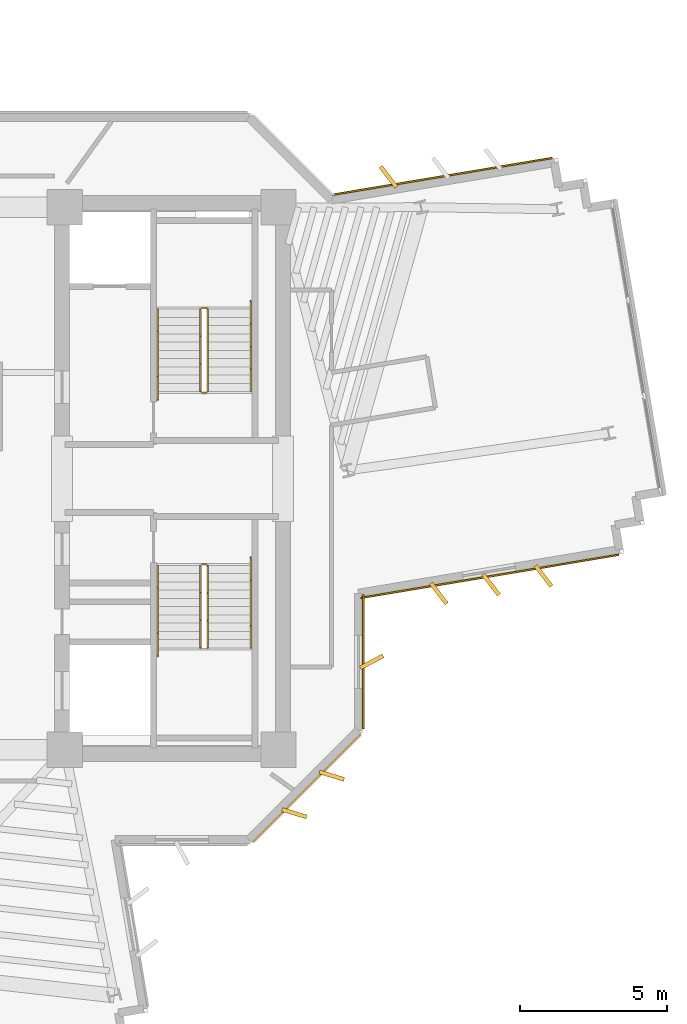
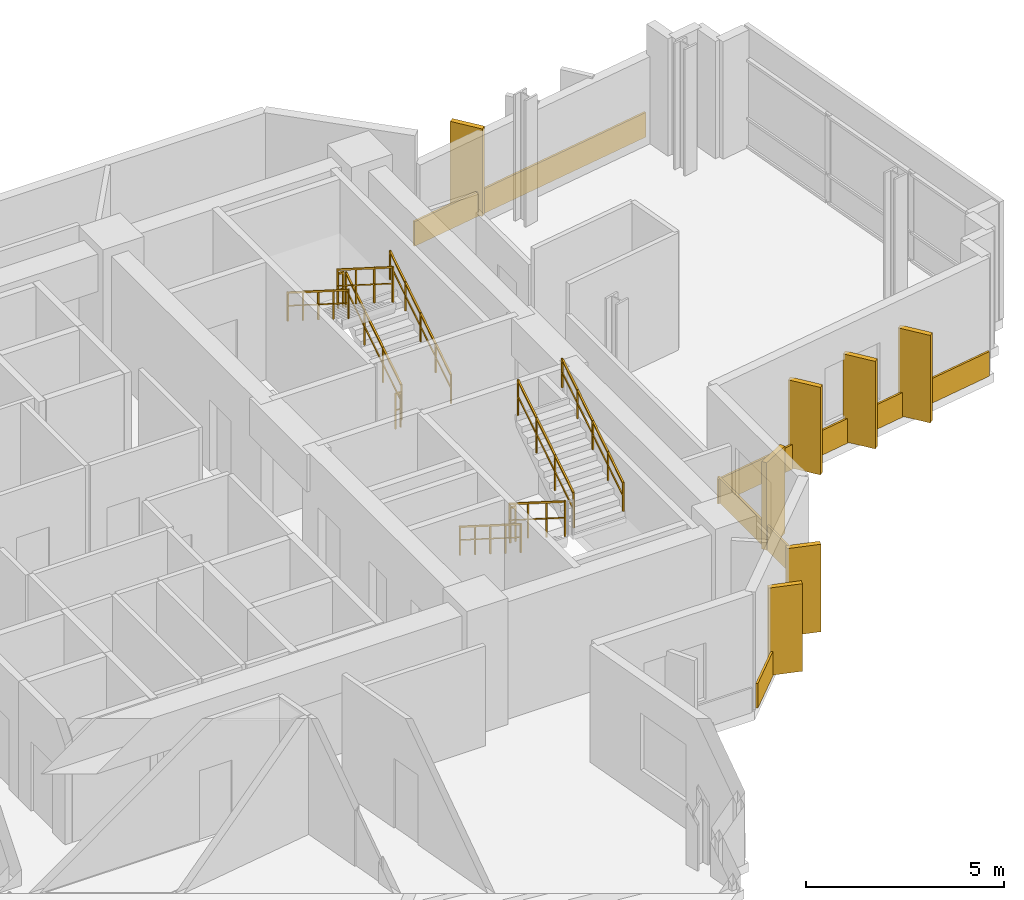
# One storey, part 14 of 15: 11 coverings, 11 railings.
"""IFC4 building model written with IfcOpenShell, lengths in metres."""

import ifcopenshell
import ifcopenshell.guid

model = None  # the IFC model being written
_history = None  # IfcOwnerHistory: only IFC2X3 demands one
_inside = {}  # id of a spatial element -> (the spatial element, [elements in it])
_under = {}  # id of a project, library or spatial element -> (it, [spatial elements below it])
_declared = {}  # id of a project -> (the project, [libraries it declares])
_typed = {}  # id of a type object -> (the type object, [elements of that type])
_made_of = {}  # id of a material, layer set ... -> (it, [elements and type objects made of it])


def new_model(schema):
    """Start an empty IFC model of exactly this schema.

    Asked for "IFC4X3", IfcOpenShell would pick the latest addendum, in which some entities
    have other attributes; the version numbers below select the first issue.
    IFC2X3 requires an IfcOwnerHistory on every rooted entity: one is made here for all.
    """
    global model, _history
    if schema == "IFC4X3":
        model = ifcopenshell.file(schema_version=(4, 3, 0, 0))
    else:
        model = ifcopenshell.file(schema=schema)
    _inside.clear()
    _under.clear()
    _declared.clear()
    _typed.clear()
    _made_of.clear()
    _history = None
    if model.schema == "IFC2X3":
        org = make("IfcOrganization", Name="unknown")
        user = make(
            "IfcPersonAndOrganization",
            ThePerson=make("IfcPerson", FamilyName="unknown"),
            TheOrganization=org,
        )
        app = make(
            "IfcApplication",
            ApplicationDeveloper=org,
            Version="unknown",
            ApplicationFullName="unknown",
            ApplicationIdentifier="unknown",
        )
        _history = make(
            "IfcOwnerHistory",
            OwningUser=user,
            OwningApplication=app,
            ChangeAction="ADDED",
            CreationDate=0,
        )
    return model


def make(cls, **values):
    """One entity of the class cls with the attributes given. An attribute that is None is left unset."""
    return model.create_entity(
        cls, **{name: value for name, value in values.items() if value is not None}
    )


def rooted(cls, **values):
    """An entity with a GlobalId (a new one), such as an element, a storey or a relation."""
    return make(cls, GlobalId=ifcopenshell.guid.new(), OwnerHistory=_history, **values)


def si_unit(unit_type, name, prefix=None):
    """IfcSIUnit, for example si_unit("LENGTHUNIT", "METRE", prefix="MILLI")."""
    return make("IfcSIUnit", UnitType=unit_type, Prefix=prefix, Name=name)


def assignment(units):
    """IfcUnitAssignment: the units of a project."""
    return None if units is None else make("IfcUnitAssignment", Units=units)


def point(xyz):
    """IfcCartesianPoint."""
    return None if xyz is None else make("IfcCartesianPoint", Coordinates=xyz)


def direction(xyz):
    """IfcDirection."""
    return None if xyz is None else make("IfcDirection", DirectionRatios=xyz)


def frame(location, z_axis=None, x_axis=None):
    """IfcAxis2Placement3D, a coordinate frame: its origin and axes. An axis left out is left unset."""
    return make(
        "IfcAxis2Placement3D",
        Location=point(location),
        Axis=direction(z_axis),
        RefDirection=direction(x_axis),
    )


def frame_2d(location, x_axis=None):
    """IfcAxis2Placement2D, a coordinate frame in the plane: its origin and x axis."""
    return make(
        "IfcAxis2Placement2D", Location=point(location), RefDirection=direction(x_axis)
    )


def origin():
    """The frame at (0, 0, 0) with its axes left unset."""
    return frame((0.0, 0.0, 0.0))


def origin_2d():
    """The frame at (0, 0) in the plane with its x axis left unset."""
    return frame_2d((0.0, 0.0))


def place(relative_to, where):
    """IfcLocalPlacement: puts the frame where relative to a parent placement (None: the world)."""
    return make(
        "IfcLocalPlacement", PlacementRelTo=relative_to, RelativePlacement=where
    )


def context(
    kind, dimensions, precision=None, world=None, true_north=None, identifier=None
):
    """IfcGeometricRepresentationContext, for example the 3D "Model" context."""
    return make(
        "IfcGeometricRepresentationContext",
        ContextIdentifier=identifier,
        ContextType=kind,
        CoordinateSpaceDimension=dimensions,
        Precision=precision,
        WorldCoordinateSystem=world,
        TrueNorth=true_north,
    )


def subcontext(parent, identifier, kind, view, scale=None):
    """IfcGeometricRepresentationSubContext, for example "Body" below "Model"."""
    return make(
        "IfcGeometricRepresentationSubContext",
        ContextIdentifier=identifier,
        ContextType=kind,
        ParentContext=parent,
        TargetScale=scale,
        TargetView=view,
    )


def project(units=None, contexts=None):
    """IfcProject with its units and contexts."""
    return rooted(
        "IfcProject",
        Name="project",
        RepresentationContexts=contexts,
        UnitsInContext=assignment(units),
    )


def spatial(cls, under=None, at=None, **own):
    """A site, building, storey or space (cls), placed at a placement, below another one or the project."""
    s = rooted(cls, ObjectPlacement=at, **own)
    if under is not None:
        _under.setdefault(under.id(), (under, []))[1].append(s)
    return s


def profile(cls, at=None, kind="AREA", **sizes):
    """A parametric profile (cls). Its sizes go by their IFC names, for example OverallWidth=200.0."""
    return make(cls, ProfileType=kind, Position=at, **sizes)


def rectangle(**sizes):
    """IfcRectangleProfileDef."""
    return profile("IfcRectangleProfileDef", **sizes)


def extrude(swept, where, along, depth):
    """IfcExtrudedAreaSolid: the profile swept, set in the frame where, extruded along a direction by depth."""
    return make(
        "IfcExtrudedAreaSolid",
        SweptArea=swept,
        Position=where,
        ExtrudedDirection=direction(along),
        Depth=depth,
    )


def shape(context_of_items, identifier, shape_type, items):
    """IfcShapeRepresentation: the items that make up one representation, for example the "Body"."""
    return make(
        "IfcShapeRepresentation",
        ContextOfItems=context_of_items,
        RepresentationIdentifier=identifier,
        RepresentationType=shape_type,
        Items=items,
    )


def source(mapping_origin, context_of_items, identifier, shape_type, items):
    """IfcRepresentationMap: a shape defined once, which mapped items show again and again."""
    return make(
        "IfcRepresentationMap",
        MappingOrigin=mapping_origin,
        MappedRepresentation=shape(context_of_items, identifier, shape_type, items),
    )


def transform(
    local_origin,
    x_axis=None,
    y_axis=None,
    z_axis=None,
    scale=None,
    scale2=None,
    scale3=None,
    uniform=True,
):
    """IfcCartesianTransformationOperator3D, or its non-uniform kind. x_axis, y_axis, z_axis: its Axis1, 2, 3."""
    if uniform:
        return make(
            "IfcCartesianTransformationOperator3D",
            Axis1=direction(x_axis),
            Axis2=direction(y_axis),
            LocalOrigin=point(local_origin),
            Scale=scale,
            Axis3=direction(z_axis),
        )
    return make(
        "IfcCartesianTransformationOperator3DnonUniform",
        Axis1=direction(x_axis),
        Axis2=direction(y_axis),
        LocalOrigin=point(local_origin),
        Scale=scale,
        Axis3=direction(z_axis),
        Scale2=scale2,
        Scale3=scale3,
    )


def mapped(mapping_source, mapping_target):
    """IfcMappedItem: shows the shape of a source again, moved by a transform."""
    return make(
        "IfcMappedItem", MappingSource=mapping_source, MappingTarget=mapping_target
    )


def material(Name=None, Category=None):
    """IfcMaterial."""
    return make("IfcMaterial", Name=Name, Category=Category)


def layer(
    of_material, thickness, ventilated=None, Name=None, Category=None, Priority=None
):
    """IfcMaterialLayer: one layer of a wall or slab, of a material (None: an air gap)."""
    return make(
        "IfcMaterialLayer",
        Material=of_material,
        LayerThickness=thickness,
        IsVentilated=ventilated,
        Name=Name,
        Category=Category,
        Priority=Priority,
    )


def layer_set(layers, Name=None):
    """IfcMaterialLayerSet."""
    return make("IfcMaterialLayerSet", MaterialLayers=layers, LayerSetName=Name)


def made_of(thing, what):
    """Note that an element or type object is made of a material, layer set ...; save() writes the relation."""
    if what is not None:
        _made_of.setdefault(what.id(), (what, []))[1].append(thing)
    return thing


def type_object(cls, material=None, **own):
    """A type object (cls), such as IfcWallType, which elements share."""
    return made_of(rooted(cls, **own), material)


def element(
    cls,
    number,
    at=None,
    inside=None,
    cuts=None,
    type_object=None,
    material=None,
    context=None,
    identifier="Body",
    shape_type=None,
    held_by="IfcProductDefinitionShape",
    body=None,
    shapes=None,
    **own,
):
    """One element of the class cls, such as IfcWall. Its Tag is "e" and its number.

    at: its placement. inside: the storey or other place that contains it. cuts: it is an
    opening in that element (IfcRelVoidsElement). A single representation is given by context,
    identifier, shape_type and body (its items); several are given by shapes. held_by: the class
    of the entity that holds the representations. save() writes the other relations.
    """
    e = rooted(cls, Tag="e%d" % number, ObjectPlacement=at, **own)
    if body is not None:
        shapes = [shape(context, identifier, shape_type, body)]
    if shapes is not None:
        e.Representation = make(held_by, Representations=shapes)
    if inside is not None:
        _inside.setdefault(inside.id(), (inside, []))[1].append(e)
    if cuts is not None:
        rooted(
            "IfcRelVoidsElement", RelatingBuildingElement=cuts, RelatedOpeningElement=e
        )
    if type_object is not None:
        _typed.setdefault(type_object.id(), (type_object, []))[1].append(e)
    return made_of(e, material)


def aggregate(whole, parts):
    """IfcRelAggregates: a whole, such as a stair, and the parts it consists of."""
    return rooted("IfcRelAggregates", RelatingObject=whole, RelatedObjects=parts)


def save(model, path):
    """Write the relations noted so far, then the file.

    IfcRelAggregates (storeys below a building ...), IfcRelContainedInSpatialStructure (elements
    in a storey), IfcRelDefinesByType, IfcRelAssociatesMaterial and IfcRelDeclares: one each for
    every whole, place, type object, material and project.
    """
    for whole, parts in _under.values():
        aggregate(whole, parts)
    for where, things in _inside.values():
        rooted(
            "IfcRelContainedInSpatialStructure",
            RelatedElements=things,
            RelatingStructure=where,
        )
    for kind, things in _typed.values():
        rooted("IfcRelDefinesByType", RelatedObjects=things, RelatingType=kind)
    for what, things in _made_of.values():
        rooted("IfcRelAssociatesMaterial", RelatedObjects=things, RelatingMaterial=what)
    for by, libraries in _declared.values():
        rooted("IfcRelDeclares", RelatingContext=by, RelatedDefinitions=libraries)
    model.write(path)


model = new_model("IFC4")

# Units and contexts
model_context = context("Model", 3, precision=1e-05, world=origin(), true_north=direction((0.0, 1.0)))
body_context = subcontext(model_context, "Body", "Model", "MODEL_VIEW")
ifc_project = project(units=[si_unit("LENGTHUNIT", "METRE"), si_unit("AREAUNIT", "SQUARE_METRE"), si_unit("VOLUMEUNIT", "CUBIC_METRE"), si_unit("PLANEANGLEUNIT", "RADIAN"), si_unit("MASSUNIT", "GRAM", prefix="KILO")], contexts=[model_context])

# Site, building, storey
site_placement = place(None, origin())
site = spatial("IfcSite", under=ifc_project, at=site_placement, CompositionType="ELEMENT")
building_placement = place(site_placement, origin())
building = spatial("IfcBuilding", under=site, at=building_placement, Name="Zahravan Cultural Tower", CompositionType="ELEMENT")
storey_placement = place(building_placement, frame((0.0, 0.0, 139.5)))
storey = spatial("IfcBuildingStorey", under=building, at=storey_placement, Name="L31", CompositionType="ELEMENT", Elevation=139.5)

# Railings
ifc_material_1 = material(Name="Steel ASTM A572 Grade 50", Category="steel")
railing_type_1 = type_object("IfcRailingType", Name="RL-STAIR-GRD1150", PredefinedType="BALUSTRADE", material=ifc_material_1)
railing_1_placement = place(storey_placement, frame((47.949951171875, 29.949951171875, 0.17724609375)))
element("IfcRailing", 1, at=railing_1_placement, inside=storey, type_object=railing_type_1, Name="L31 ST-E1 stair guard 1", PredefinedType="BALUSTRADE", context=body_context, shape_type="SweptSolid", body=[
    extrude(rectangle(XDim=0.05, YDim=0.05, at=origin_2d()), frame((0.0, 0.0, 1.0751953125), z_axis=(0.0, 0.844908973607, 0.534910110503), x_axis=(-1.0, 0.0, 0.0)), (0.0, 0.0, 1.0), 3.31396484375),
    extrude(rectangle(XDim=0.032, YDim=0.032, at=origin_2d()), frame((0.0, 0.0, 0.572021484375), z_axis=(0.0, 0.844908973607, 0.534910110503), x_axis=(-1.0, 0.0, 0.0)), (0.0, 0.0, 1.0), 3.31396484375),
    extrude(rectangle(XDim=0.04, YDim=0.04, at=origin_2d()), origin(), (0.0, 0.0, 1.0), 1.10009765625),
    extrude(rectangle(XDim=0.04, YDim=0.04, at=origin_2d()), frame((0.0, 0.933349609375, 0.5908203125)), (0.0, 0.0, 1.0), 1.10009765625),
    extrude(rectangle(XDim=0.04, YDim=0.04, at=origin_2d()), frame((0.0, 1.86669921875, 1.181884765625)), (0.0, 0.0, 1.0), 1.10009765625),
    extrude(rectangle(XDim=0.04, YDim=0.04, at=origin_2d()), frame((0.0, 2.800048828125, 1.772705078125)), (0.0, 0.0, 1.0), 1.10009765625),
])
railing_2_placement = place(storey_placement, frame((47.89990234375, 32.800048828125, 1.949951171875)))
element("IfcRailing", 2, at=railing_2_placement, inside=storey, type_object=railing_type_1, Name="L31 ST-E1 stair guard 2", PredefinedType="BALUSTRADE", context=body_context, shape_type="SweptSolid", body=[
    extrude(rectangle(XDim=0.05, YDim=0.05, at=origin_2d()), frame((0.0, 0.0, 1.0751953125), z_axis=(-1.0, 0.0, 0.0), x_axis=(0.0, -1.0, 0.0)), (0.0, 0.0, 1.0), 0.14990234375),
    extrude(rectangle(XDim=0.032, YDim=0.032, at=origin_2d()), frame((0.0, 0.0, 0.572021484375), z_axis=(-1.0, 0.0, 0.0), x_axis=(0.0, -1.0, 0.0)), (0.0, 0.0, 1.0), 0.14990234375),
    extrude(rectangle(XDim=0.04, YDim=0.04, at=origin_2d()), origin(), (0.0, 0.0, 1.0), 1.10009765625),
    extrude(rectangle(XDim=0.04, YDim=0.04, at=origin_2d()), frame((-0.14990234375, 0.0, 0.0)), (0.0, 0.0, 1.0), 1.10009765625),
])
railing_3_placement = place(storey_placement, frame((47.699951171875, 32.75, 2.127197265625)))
element("IfcRailing", 3, at=railing_3_placement, inside=storey, type_object=railing_type_1, Name="L31 ST-E1 stair guard 3", PredefinedType="BALUSTRADE", context=body_context, shape_type="SweptSolid", body=[
    extrude(rectangle(XDim=0.05, YDim=0.05, at=origin_2d()), frame((0.0, 0.0, 1.0751953125), z_axis=(0.0, -0.844908973607, 0.534910110503), x_axis=(1.0, 0.0, 0.0)), (0.0, 0.0, 1.0), 3.31396484375),
    extrude(rectangle(XDim=0.032, YDim=0.032, at=origin_2d()), frame((0.0, 0.0, 0.572021484375), z_axis=(0.0, -0.844908973607, 0.534910110503), x_axis=(1.0, 0.0, 0.0)), (0.0, 0.0, 1.0), 3.31396484375),
    extrude(rectangle(XDim=0.04, YDim=0.04, at=origin_2d()), origin(), (0.0, 0.0, 1.0), 1.10009765625),
    extrude(rectangle(XDim=0.04, YDim=0.04, at=origin_2d()), frame((0.0, -0.933349609375, 0.5908203125)), (0.0, 0.0, 1.0), 1.10009765625),
    extrude(rectangle(XDim=0.04, YDim=0.04, at=origin_2d()), frame((0.0, -1.86669921875, 1.181884765625)), (0.0, 0.0, 1.0), 1.10009765625),
    extrude(rectangle(XDim=0.04, YDim=0.04, at=origin_2d()), frame((0.0, -2.800048828125, 1.772705078125)), (0.0, 0.0, 1.0), 1.10009765625),
])
railing_4_placement = place(storey_placement, frame((47.89990234375, 29.89990234375, 0.0)))
element("IfcRailing", 4, at=railing_4_placement, inside=storey, type_object=railing_type_1, Name="L31 ST-E1 stair guard 4", PredefinedType="BALUSTRADE", context=body_context, shape_type="SweptSolid", body=[
    extrude(rectangle(XDim=0.05, YDim=0.05, at=origin_2d()), frame((0.0, 0.0, 1.0751953125), z_axis=(-1.0, 0.0, 0.0), x_axis=(0.0, -1.0, 0.0)), (0.0, 0.0, 1.0), 0.14990234375),
    extrude(rectangle(XDim=0.032, YDim=0.032, at=origin_2d()), frame((0.0, 0.0, 0.572021484375), z_axis=(-1.0, 0.0, 0.0), x_axis=(0.0, -1.0, 0.0)), (0.0, 0.0, 1.0), 0.14990234375),
    extrude(rectangle(XDim=0.04, YDim=0.04, at=origin_2d()), origin(), (0.0, 0.0, 1.0), 1.10009765625),
    extrude(rectangle(XDim=0.04, YDim=0.04, at=origin_2d()), frame((-0.14990234375, 0.0, 0.0)), (0.0, 0.0, 1.0), 1.10009765625),
])
railing_5_placement = place(storey_placement, frame((47.699951171875, 24.050048828125, 0.17724609375)))
element("IfcRailing", 5, at=railing_5_placement, inside=storey, type_object=railing_type_1, Name="L31 ST-E2 stair guard 1", PredefinedType="BALUSTRADE", context=body_context, shape_type="SweptSolid", body=[
    extrude(rectangle(XDim=0.05, YDim=0.05, at=origin_2d()), frame((0.0, 0.0, 1.0751953125), z_axis=(0.0, -0.844908973607, 0.534910110503), x_axis=(1.0, 0.0, 0.0)), (0.0, 0.0, 1.0), 3.31396484375),
    extrude(rectangle(XDim=0.032, YDim=0.032, at=origin_2d()), frame((0.0, 0.0, 0.572021484375), z_axis=(0.0, -0.844908973607, 0.534910110503), x_axis=(1.0, 0.0, 0.0)), (0.0, 0.0, 1.0), 3.31396484375),
    extrude(rectangle(XDim=0.04, YDim=0.04, at=origin_2d()), origin(), (0.0, 0.0, 1.0), 1.10009765625),
    extrude(rectangle(XDim=0.04, YDim=0.04, at=origin_2d()), frame((0.0, -0.933349609375, 0.5908203125)), (0.0, 0.0, 1.0), 1.10009765625),
    extrude(rectangle(XDim=0.04, YDim=0.04, at=origin_2d()), frame((0.0, -1.86669921875, 1.181884765625)), (0.0, 0.0, 1.0), 1.10009765625),
    extrude(rectangle(XDim=0.04, YDim=0.04, at=origin_2d()), frame((0.0, -2.800048828125, 1.772705078125)), (0.0, 0.0, 1.0), 1.10009765625),
])
railing_6_placement = place(storey_placement, frame((47.949951171875, 21.25, 2.127197265625)))
element("IfcRailing", 6, at=railing_6_placement, inside=storey, type_object=railing_type_1, Name="L31 ST-E2 stair guard 3", PredefinedType="BALUSTRADE", context=body_context, shape_type="SweptSolid", body=[
    extrude(rectangle(XDim=0.05, YDim=0.05, at=origin_2d()), frame((0.0, 0.0, 1.0751953125), z_axis=(0.0, 0.844908973607, 0.534910110503), x_axis=(-1.0, 0.0, 0.0)), (0.0, 0.0, 1.0), 3.31396484375),
    extrude(rectangle(XDim=0.032, YDim=0.032, at=origin_2d()), frame((0.0, 0.0, 0.572021484375), z_axis=(0.0, 0.844908973607, 0.534910110503), x_axis=(-1.0, 0.0, 0.0)), (0.0, 0.0, 1.0), 3.31396484375),
    extrude(rectangle(XDim=0.04, YDim=0.04, at=origin_2d()), origin(), (0.0, 0.0, 1.0), 1.10009765625),
    extrude(rectangle(XDim=0.04, YDim=0.04, at=origin_2d()), frame((0.0, 0.933349609375, 0.5908203125)), (0.0, 0.0, 1.0), 1.10009765625),
    extrude(rectangle(XDim=0.04, YDim=0.04, at=origin_2d()), frame((0.0, 1.86669921875, 1.181884765625)), (0.0, 0.0, 1.0), 1.10009765625),
    extrude(rectangle(XDim=0.04, YDim=0.04, at=origin_2d()), frame((0.0, 2.800048828125, 1.772705078125)), (0.0, 0.0, 1.0), 1.10009765625),
])
railing_7_placement = place(storey_placement, frame((47.75, 24.10009765625, 0.0)))
element("IfcRailing", 7, at=railing_7_placement, inside=storey, type_object=railing_type_1, Name="L31 ST-E2 stair guard 4", PredefinedType="BALUSTRADE", context=body_context, shape_type="SweptSolid", body=[
    extrude(rectangle(XDim=0.05, YDim=0.05, at=origin_2d()), frame((0.0, 0.0, 1.0751953125), z_axis=(1.0, 0.0, 0.0), x_axis=(0.0, 1.0, 0.0)), (0.0, 0.0, 1.0), 0.14990234375),
    extrude(rectangle(XDim=0.032, YDim=0.032, at=origin_2d()), frame((0.0, 0.0, 0.572021484375), z_axis=(1.0, 0.0, 0.0), x_axis=(0.0, 1.0, 0.0)), (0.0, 0.0, 1.0), 0.14990234375),
    extrude(rectangle(XDim=0.04, YDim=0.04, at=origin_2d()), origin(), (0.0, 0.0, 1.0), 1.10009765625),
    extrude(rectangle(XDim=0.04, YDim=0.04, at=origin_2d()), frame((0.14990234375, 0.0, 0.0)), (0.0, 0.0, 1.0), 1.10009765625),
])
railing_type_2 = type_object("IfcRailingType", Name="RL-STAIR-HR900", PredefinedType="HANDRAIL", material=ifc_material_1)
railing_8_placement = place(storey_placement, frame((49.39990234375, 29.949951171875, 0.17724609375)))
element("IfcRailing", 8, at=railing_8_placement, inside=storey, type_object=railing_type_2, Name="L31 ST-E1 stair handrail 1", PredefinedType="HANDRAIL", context=body_context, shape_type="SweptSolid", body=[
    extrude(rectangle(XDim=0.05, YDim=0.05, at=origin_2d()), frame((0.0, 0.0, 0.875), z_axis=(0.0, 0.844913916606, 0.534902302785), x_axis=(-1.0, 0.0, 0.0)), (0.0, 0.0, 1.0), 3.6455078125),
    extrude(rectangle(XDim=0.032, YDim=0.032, at=origin_2d()), frame((0.0, 0.0, 0.468017578125), z_axis=(0.0, 0.844913916606, 0.534902302785), x_axis=(-1.0, 0.0, 0.0)), (0.0, 0.0, 1.0), 3.6455078125),
    extrude(rectangle(XDim=0.04, YDim=0.04, at=origin_2d()), origin(), (0.0, 0.0, 1.0), 0.89990234375),
    extrude(rectangle(XDim=0.04, YDim=0.04, at=origin_2d()), frame((0.0, 0.77001953125, 0.487548828125)), (0.0, 0.0, 1.0), 0.89990234375),
    extrude(rectangle(XDim=0.04, YDim=0.04, at=origin_2d()), frame((0.0, 1.5400390625, 0.97509765625)), (0.0, 0.0, 1.0), 0.89990234375),
    extrude(rectangle(XDim=0.04, YDim=0.04, at=origin_2d()), frame((0.0, 2.31005859375, 1.46240234375)), (0.0, 0.0, 1.0), 0.89990234375),
    extrude(rectangle(XDim=0.04, YDim=0.04, at=origin_2d()), frame((0.0, 3.080078125, 1.949951171875)), (0.0, 0.0, 1.0), 0.89990234375),
])
railing_9_placement = place(storey_placement, frame((46.25, 32.75, 2.127197265625)))
element("IfcRailing", 9, at=railing_9_placement, inside=storey, type_object=railing_type_2, Name="L31 ST-E1 stair handrail 2", PredefinedType="HANDRAIL", context=body_context, shape_type="SweptSolid", body=[
    extrude(rectangle(XDim=0.05, YDim=0.05, at=origin_2d()), frame((0.0, 0.0, 0.875), z_axis=(0.0, -0.844883648757, 0.534950109882), x_axis=(1.0, 0.0, 0.0)), (0.0, 0.0, 1.0), 3.6455078125),
    extrude(rectangle(XDim=0.032, YDim=0.032, at=origin_2d()), frame((0.0, 0.0, 0.468017578125), z_axis=(0.0, -0.844883648757, 0.534950109882), x_axis=(1.0, 0.0, 0.0)), (0.0, 0.0, 1.0), 3.6455078125),
    extrude(rectangle(XDim=0.04, YDim=0.04, at=origin_2d()), origin(), (0.0, 0.0, 1.0), 0.89990234375),
    extrude(rectangle(XDim=0.04, YDim=0.04, at=origin_2d()), frame((0.0, -0.77001953125, 0.487548828125)), (0.0, 0.0, 1.0), 0.89990234375),
    extrude(rectangle(XDim=0.04, YDim=0.04, at=origin_2d()), frame((0.0, -1.5400390625, 0.97509765625)), (0.0, 0.0, 1.0), 0.89990234375),
    extrude(rectangle(XDim=0.04, YDim=0.04, at=origin_2d()), frame((0.0, -2.31005859375, 1.462646484375)), (0.0, 0.0, 1.0), 0.89990234375),
    extrude(rectangle(XDim=0.04, YDim=0.04, at=origin_2d()), frame((0.0, -3.080078125, 1.9501953125)), (0.0, 0.0, 1.0), 0.89990234375),
])
railing_10_placement = place(storey_placement, frame((46.25, 24.050048828125, 0.17724609375)))
element("IfcRailing", 10, at=railing_10_placement, inside=storey, type_object=railing_type_2, Name="L31 ST-E2 stair handrail 1", PredefinedType="HANDRAIL", context=body_context, shape_type="SweptSolid", body=[
    extrude(rectangle(XDim=0.05, YDim=0.05, at=origin_2d()), frame((0.0, 0.0, 0.875), z_axis=(0.0, -0.844913916606, 0.534902302785), x_axis=(1.0, 0.0, 0.0)), (0.0, 0.0, 1.0), 3.6455078125),
    extrude(rectangle(XDim=0.032, YDim=0.032, at=origin_2d()), frame((0.0, 0.0, 0.468017578125), z_axis=(0.0, -0.844913916606, 0.534902302785), x_axis=(1.0, 0.0, 0.0)), (0.0, 0.0, 1.0), 3.6455078125),
    extrude(rectangle(XDim=0.04, YDim=0.04, at=origin_2d()), origin(), (0.0, 0.0, 1.0), 0.89990234375),
    extrude(rectangle(XDim=0.04, YDim=0.04, at=origin_2d()), frame((0.0, -0.77001953125, 0.487548828125)), (0.0, 0.0, 1.0), 0.89990234375),
    extrude(rectangle(XDim=0.04, YDim=0.04, at=origin_2d()), frame((0.0, -1.5400390625, 0.97509765625)), (0.0, 0.0, 1.0), 0.89990234375),
    extrude(rectangle(XDim=0.04, YDim=0.04, at=origin_2d()), frame((0.0, -2.31005859375, 1.46240234375)), (0.0, 0.0, 1.0), 0.89990234375),
    extrude(rectangle(XDim=0.04, YDim=0.04, at=origin_2d()), frame((0.0, -3.080078125, 1.949951171875)), (0.0, 0.0, 1.0), 0.89990234375),
])
railing_11_placement = place(storey_placement, frame((49.39990234375, 21.25, 2.127197265625)))
element("IfcRailing", 11, at=railing_11_placement, inside=storey, type_object=railing_type_2, Name="L31 ST-E2 stair handrail 2", PredefinedType="HANDRAIL", context=body_context, shape_type="SweptSolid", body=[
    extrude(rectangle(XDim=0.05, YDim=0.05, at=origin_2d()), frame((0.0, 0.0, 0.875), z_axis=(0.0, 0.844883648757, 0.534950109882), x_axis=(-1.0, 0.0, 0.0)), (0.0, 0.0, 1.0), 3.6455078125),
    extrude(rectangle(XDim=0.032, YDim=0.032, at=origin_2d()), frame((0.0, 0.0, 0.468017578125), z_axis=(0.0, 0.844883648757, 0.534950109882), x_axis=(-1.0, 0.0, 0.0)), (0.0, 0.0, 1.0), 3.6455078125),
    extrude(rectangle(XDim=0.04, YDim=0.04, at=origin_2d()), origin(), (0.0, 0.0, 1.0), 0.89990234375),
    extrude(rectangle(XDim=0.04, YDim=0.04, at=origin_2d()), frame((0.0, 0.77001953125, 0.487548828125)), (0.0, 0.0, 1.0), 0.89990234375),
    extrude(rectangle(XDim=0.04, YDim=0.04, at=origin_2d()), frame((0.0, 1.5400390625, 0.97509765625)), (0.0, 0.0, 1.0), 0.89990234375),
    extrude(rectangle(XDim=0.04, YDim=0.04, at=origin_2d()), frame((0.0, 2.31005859375, 1.462646484375)), (0.0, 0.0, 1.0), 0.89990234375),
    extrude(rectangle(XDim=0.04, YDim=0.04, at=origin_2d()), frame((0.0, 3.080078125, 1.9501953125)), (0.0, 0.0, 1.0), 0.89990234375),
])

# Coverings
ifc_material_2 = material(Name="Terracotta ceramic cladding", Category="masonry")
ifc_layer = layer(ifc_material_2, 0.06005859375)
ifc_layer_set = layer_set([ifc_layer], Name="Terracotta ceramic cladding")
covering_type = type_object("IfcCoveringType", Name="COV-CLAD-TC60", PredefinedType="CLADDING", material=ifc_layer_set)
shared_shape_1 = source(origin(), body_context, "Body", "SweptSolid", [
    extrude(rectangle(XDim=5.157958984375, YDim=0.06005859375, at=origin_2d()), origin(), (0.0, 0.0, 1.0), 0.760009765625),
])
covering_1_placement = place(storey_placement, frame((51.317626953125, 16.482421875, 0.02001953125), z_axis=(0.0, 0.0, 1.0), x_axis=(-0.707106781187, -0.707106781187, 0.0)))
element("IfcCovering", 12, at=covering_1_placement, inside=storey, type_object=covering_type, Name="L31 Terracotta Spandrel Cladding 12", PredefinedType="CLADDING", context=body_context, shape_type="MappedRepresentation", body=[
    mapped(shared_shape_1, transform((0.0, 0.0, 0.0), x_axis=(1.0, 0.0, 0.0), y_axis=(0.0, 1.0, 0.0), z_axis=(0.0, 0.0, 1.0), scale=1.0)),
])
shared_shape_2 = source(origin(), body_context, "Body", "SweptSolid", [
    extrude(rectangle(XDim=7.573486328125, YDim=0.06005859375, at=origin_2d()), origin(), (0.0, 0.0, 1.0), 0.760009765625),
])
covering_2_placement = place(storey_placement, frame((55.904296875, 37.250732421875, 0.02001953125), z_axis=(0.0, 0.0, 1.0), x_axis=(0.986285601537, 0.165047605861, 0.0)))
element("IfcCovering", 13, at=covering_2_placement, inside=storey, type_object=covering_type, Name="L31 Terracotta Spandrel Cladding 01", PredefinedType="CLADDING", context=body_context, shape_type="MappedRepresentation", body=[
    mapped(shared_shape_2, transform((0.0, 0.0, 0.0), x_axis=(1.0, 0.0, 0.0), y_axis=(0.0, 1.0, 0.0), z_axis=(0.0, 0.0, 1.0), scale=1.0)),
])
shared_shape_3 = source(origin(), body_context, "Body", "SweptSolid", [
    extrude(rectangle(XDim=0.8798828125, YDim=0.139892578125, at=origin_2d()), origin(), (0.0, 0.0, 1.0), 2.699951171875),
])
for number, where, z_axis, x_axis, name in (
    (14, (54.081787109375, 37.234619140625, 0.0498046875), (0.0, 0.0, 1.0), (-0.608761429009, 0.793353340291, 0.0), "L31 Herringbone Terracotta Fin 01"),
    (15, (59.336669921875, 23.6962890625, 0.0498046875), (0.0, 0.0, 1.0), (0.608761429009, -0.793353340291, 0.0), "L31 Herringbone Terracotta Fin 04"),
    (16, (57.561279296875, 23.3994140625, 0.0498046875), (0.0, 0.0, 1.0), (0.608761429009, -0.793353340291, 0.0), "L31 Herringbone Terracotta Fin 05"),
    (17, (55.785888671875, 23.102294921875, 0.0498046875), (0.0, 0.0, 1.0), (0.608761429009, -0.793353340291, 0.0), "L31 Herringbone Terracotta Fin 06"),
    (18, (53.510009765625, 20.780029296875, 0.0498046875), (0.0, 0.0, 1.0), (0.882947592859, 0.469471562786, 0.0), "L31 Herringbone Terracotta Fin 07"),
    (19, (52.155517578125, 16.917236328125, 0.0498046875), (0.0, 0.0, 1.0), (0.956304755963, -0.292371704723, 0.0), "L31 Herringbone Terracotta Fin 08"),
    (20, (50.8828125, 15.644287109375, 0.0498046875), (0.0, 0.0, 1.0), (0.956304755963, -0.292371704723, 0.0), "L31 Herringbone Terracotta Fin 09"),
):
    element("IfcCovering", number, at=place(storey_placement, frame(where, z_axis=z_axis, x_axis=x_axis)), inside=storey, type_object=covering_type, Name=name, PredefinedType="CLADDING", context=body_context, shape_type="MappedRepresentation", body=[
        mapped(shared_shape_3, transform((0.0, 0.0, 0.0), x_axis=(1.0, 0.0, 0.0), y_axis=(0.0, 1.0, 0.0), z_axis=(0.0, 0.0, 1.0), scale=1.0)),
    ])
shared_shape_4 = source(origin(), body_context, "Body", "SweptSolid", [
    extrude(rectangle(XDim=8.877197265625, YDim=0.06005859375, at=origin_2d()), origin(), (0.0, 0.0, 1.0), 0.760009765625),
])
covering_3_placement = place(storey_placement, frame((57.514404296875, 23.680419921875, 0.02001953125), z_axis=(0.0, 0.0, 1.0), x_axis=(-0.986285601537, -0.165047605861, 0.0)))
element("IfcCovering", 21, at=covering_3_placement, inside=storey, type_object=covering_type, Name="L31 Terracotta Spandrel Cladding 10", PredefinedType="CLADDING", context=body_context, shape_type="MappedRepresentation", body=[
    mapped(shared_shape_4, transform((0.0, 0.0, 0.0), x_axis=(1.0, 0.0, 0.0), y_axis=(0.0, 1.0, 0.0), z_axis=(0.0, 0.0, 1.0), scale=1.0)),
])
shared_shape_5 = source(origin(), body_context, "Body", "SweptSolid", [
    extrude(rectangle(XDim=4.544189453125, YDim=0.06005859375, at=origin_2d()), origin(), (0.0, 0.0, 1.0), 0.760009765625),
])
covering_4_placement = place(storey_placement, frame((53.22509765625, 20.780029296875, 0.02001953125), z_axis=(0.0, 0.0, 1.0), x_axis=(0.0, -1.0, 0.0)))
element("IfcCovering", 22, at=covering_4_placement, inside=storey, type_object=covering_type, Name="L31 Terracotta Spandrel Cladding 11", PredefinedType="CLADDING", context=body_context, shape_type="MappedRepresentation", body=[
    mapped(shared_shape_5, transform((0.0, 0.0, 0.0), x_axis=(1.0, 0.0, 0.0), y_axis=(0.0, 1.0, 0.0), z_axis=(0.0, 0.0, 1.0), scale=1.0)),
])

save(model, "model.ifc")
